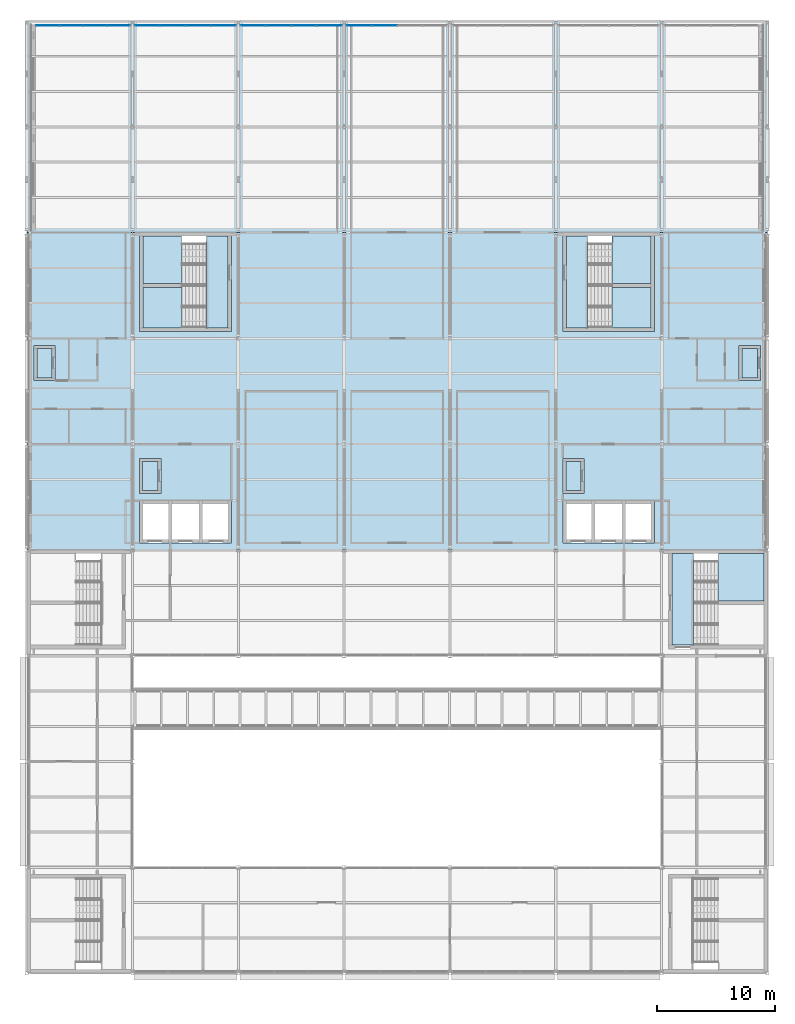
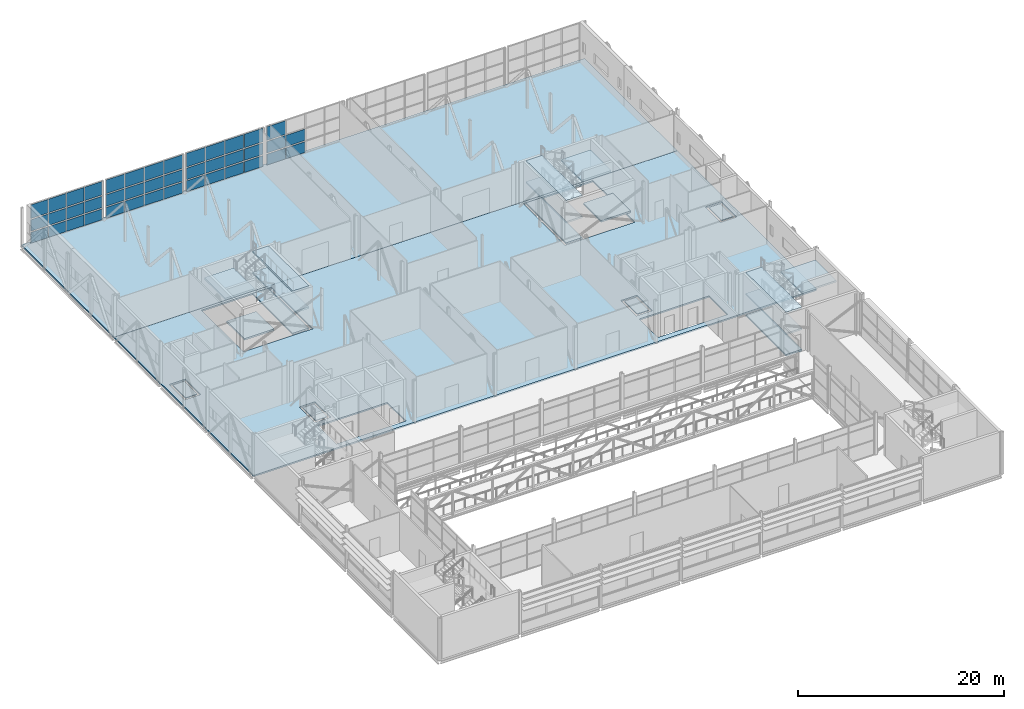
# One storey, part 74 of 94: 41 plates, 20 slabs, 7 elements without a shape of their own.
"""IFC4 building model written with IfcOpenShell, lengths in metres."""

from ifc_helpers import new_model, si_unit, direction, frame, origin, origin_2d, place, context, subcontext, project, spatial, polyline, rectangle, outline, extrude, material, layer, layer_set, type_object, element, aggregate, save


model = new_model("IFC4")

# Units and contexts
model_context = context("Model", 3, precision=1e-05, world=origin(), true_north=direction((0.0, 1.0)))
body_context = subcontext(model_context, "Body", "Model", "MODEL_VIEW")
ifc_project = project(units=[si_unit("LENGTHUNIT", "METRE"), si_unit("AREAUNIT", "SQUARE_METRE"), si_unit("VOLUMEUNIT", "CUBIC_METRE"), si_unit("PLANEANGLEUNIT", "RADIAN"), si_unit("MASSUNIT", "GRAM", prefix="KILO")], contexts=[model_context])

# Site, building, storey
site_placement = place(None, origin())
site = spatial("IfcSite", under=ifc_project, at=site_placement, CompositionType="ELEMENT")
building_placement = place(site_placement, origin())
building = spatial("IfcBuilding", under=site, at=building_placement, Name="Shorebreak Coast Museum", CompositionType="ELEMENT")
storey_placement = place(building_placement, frame((0.0, 0.0, 31.0)))
storey = spatial("IfcBuildingStorey", under=building, at=storey_placement, Name="L05", CompositionType="ELEMENT", Elevation=31.0)

# Curtain wall, plates
ifc_material_1 = material(Name="Aluminium", Category="aluminium")
ifc_layer_1 = layer(ifc_material_1, 0.14990234375)
ifc_layer_set_1 = layer_set([ifc_layer_1], Name="Aluminium")
curtain_wall_type = type_object("IfcCurtainWallType", Name="Barrel end glazing", PredefinedType="NOTDEFINED", material=ifc_layer_set_1)
curtain_wall_1_placement = place(storey_placement, origin())
curtain_wall_1 = element("IfcCurtainWall", 1, at=curtain_wall_1_placement, inside=storey, type_object=curtain_wall_type, Name="Barrel end glazing L05 1", PredefinedType="NOTDEFINED")
ifc_material_2 = material(Name="Glass", Category="glass")
ifc_layer_2 = layer(ifc_material_2, 0.035888671875)
ifc_layer_set_2 = layer_set([ifc_layer_2], Name="Glass")
plate_type = type_object("IfcPlateType", Name="Barrel glass panel 36", PredefinedType="CURTAIN_PANEL", material=ifc_layer_set_2)
plate_1_placement = place(storey_placement, frame((55.776123046875, 134.60009765625, 0.150146484375), z_axis=(0.0, 0.0, 1.0), x_axis=(1.0, 0.0, 0.0)))
plate_1 = element("IfcPlate", 2, at=plate_1_placement, type_object=plate_type, Name="CW7 panel 1.1", PredefinedType="CURTAIN_PANEL", context=body_context, shape_type="SweptSolid", body=[
    extrude(rectangle(XDim=1.93212890625, YDim=0.035888671875, at=origin_2d()), origin(), (0.0, 0.0, 1.0), 1.27490234375),
])
plate_2_placement = place(storey_placement, frame((55.776123046875, 134.60009765625, 1.574951171875), z_axis=(0.0, 0.0, 1.0), x_axis=(1.0, 0.0, 0.0)))
plate_2 = element("IfcPlate", 3, at=plate_2_placement, type_object=plate_type, Name="CW7 panel 1.2", PredefinedType="CURTAIN_PANEL", context=body_context, shape_type="SweptSolid", body=[
    extrude(rectangle(XDim=1.93212890625, YDim=0.035888671875, at=origin_2d()), origin(), (0.0, 0.0, 1.0), 1.35009765625),
])
plate_3_placement = place(storey_placement, frame((55.776123046875, 134.60009765625, 3.074951171875), z_axis=(0.0, 0.0, 1.0), x_axis=(1.0, 0.0, 0.0)))
plate_3 = element("IfcPlate", 4, at=plate_3_placement, type_object=plate_type, Name="CW7 panel 1.3", PredefinedType="CURTAIN_PANEL", context=body_context, shape_type="SweptSolid", body=[
    extrude(rectangle(XDim=1.93212890625, YDim=0.035888671875, at=origin_2d()), origin(), (0.0, 0.0, 1.0), 1.60009765625),
])
plate_4_placement = place(storey_placement, frame((57.782958984375, 134.60009765625, 0.150146484375), z_axis=(0.0, 0.0, 1.0), x_axis=(1.0, 0.0, 0.0)))
plate_4 = element("IfcPlate", 5, at=plate_4_placement, type_object=plate_type, Name="CW7 panel 2.1", PredefinedType="CURTAIN_PANEL", context=body_context, shape_type="SweptSolid", body=[
    extrude(rectangle(XDim=1.9619140625, YDim=0.035888671875, at=origin_2d()), origin(), (0.0, 0.0, 1.0), 1.27490234375),
])
plate_5_placement = place(storey_placement, frame((57.782958984375, 134.60009765625, 1.574951171875), z_axis=(0.0, 0.0, 1.0), x_axis=(1.0, 0.0, 0.0)))
plate_5 = element("IfcPlate", 6, at=plate_5_placement, type_object=plate_type, Name="CW7 panel 2.2", PredefinedType="CURTAIN_PANEL", context=body_context, shape_type="SweptSolid", body=[
    extrude(rectangle(XDim=1.9619140625, YDim=0.035888671875, at=origin_2d()), origin(), (0.0, 0.0, 1.0), 1.35009765625),
])
plate_6_placement = place(storey_placement, frame((57.782958984375, 134.60009765625, 3.074951171875), z_axis=(0.0, 0.0, 1.0), x_axis=(1.0, 0.0, 0.0)))
plate_6 = element("IfcPlate", 7, at=plate_6_placement, type_object=plate_type, Name="CW7 panel 2.3", PredefinedType="CURTAIN_PANEL", context=body_context, shape_type="SweptSolid", body=[
    extrude(rectangle(XDim=1.9619140625, YDim=0.035888671875, at=origin_2d()), origin(), (0.0, 0.0, 1.0), 1.60009765625),
])
plate_7_placement = place(storey_placement, frame((59.80517578125, 134.60009765625, 0.150146484375), z_axis=(0.0, 0.0, 1.0), x_axis=(1.0, 0.0, 0.0)))
plate_7 = element("IfcPlate", 8, at=plate_7_placement, type_object=plate_type, Name="CW7 panel 3.1", PredefinedType="CURTAIN_PANEL", context=body_context, shape_type="SweptSolid", body=[
    extrude(rectangle(XDim=1.9619140625, YDim=0.035888671875, at=origin_2d()), origin(), (0.0, 0.0, 1.0), 1.27490234375),
])
plate_8_placement = place(storey_placement, frame((59.80517578125, 134.60009765625, 1.574951171875), z_axis=(0.0, 0.0, 1.0), x_axis=(1.0, 0.0, 0.0)))
plate_8 = element("IfcPlate", 9, at=plate_8_placement, type_object=plate_type, Name="CW7 panel 3.2", PredefinedType="CURTAIN_PANEL", context=body_context, shape_type="SweptSolid", body=[
    extrude(rectangle(XDim=1.9619140625, YDim=0.035888671875, at=origin_2d()), origin(), (0.0, 0.0, 1.0), 1.35009765625),
])
plate_9_placement = place(storey_placement, frame((59.80517578125, 134.60009765625, 3.074951171875), z_axis=(0.0, 0.0, 1.0), x_axis=(1.0, 0.0, 0.0)))
plate_9 = element("IfcPlate", 10, at=plate_9_placement, type_object=plate_type, Name="CW7 panel 3.3", PredefinedType="CURTAIN_PANEL", context=body_context, shape_type="SweptSolid", body=[
    extrude(rectangle(XDim=1.9619140625, YDim=0.035888671875, at=origin_2d()), origin(), (0.0, 0.0, 1.0), 1.60009765625),
])
plate_10_placement = place(storey_placement, frame((61.81201171875, 134.60009765625, 0.150146484375), z_axis=(0.0, 0.0, 1.0), x_axis=(1.0, 0.0, 0.0)))
plate_10 = element("IfcPlate", 11, at=plate_10_placement, type_object=plate_type, Name="CW7 panel 4.1", PredefinedType="CURTAIN_PANEL", context=body_context, shape_type="SweptSolid", body=[
    extrude(rectangle(XDim=1.93212890625, YDim=0.035888671875, at=origin_2d()), origin(), (0.0, 0.0, 1.0), 1.27490234375),
])
plate_11_placement = place(storey_placement, frame((61.81201171875, 134.60009765625, 1.574951171875), z_axis=(0.0, 0.0, 1.0), x_axis=(1.0, 0.0, 0.0)))
plate_11 = element("IfcPlate", 12, at=plate_11_placement, type_object=plate_type, Name="CW7 panel 4.2", PredefinedType="CURTAIN_PANEL", context=body_context, shape_type="SweptSolid", body=[
    extrude(rectangle(XDim=1.93212890625, YDim=0.035888671875, at=origin_2d()), origin(), (0.0, 0.0, 1.0), 1.35009765625),
])
plate_12_placement = place(storey_placement, frame((61.81201171875, 134.60009765625, 3.074951171875), z_axis=(0.0, 0.0, 1.0), x_axis=(1.0, 0.0, 0.0)))
plate_12 = element("IfcPlate", 13, at=plate_12_placement, type_object=plate_type, Name="CW7 panel 4.3", PredefinedType="CURTAIN_PANEL", context=body_context, shape_type="SweptSolid", body=[
    extrude(rectangle(XDim=1.93212890625, YDim=0.035888671875, at=origin_2d()), origin(), (0.0, 0.0, 1.0), 1.60009765625),
])
aggregate(curtain_wall_1, [plate_1, plate_2, plate_3, plate_4, plate_5, plate_6, plate_7, plate_8, plate_9, plate_10, plate_11, plate_12])

curtain_wall_2_placement = place(storey_placement, origin())
curtain_wall_2 = element("IfcCurtainWall", 14, at=curtain_wall_2_placement, inside=storey, type_object=curtain_wall_type, Name="Barrel end glazing L05 2", PredefinedType="NOTDEFINED")
plate_13_placement = place(storey_placement, frame((64.261474609375, 134.60009765625, 0.150146484375), z_axis=(0.0, 0.0, 1.0), x_axis=(1.0, 0.0, 0.0)))
plate_13 = element("IfcPlate", 15, at=plate_13_placement, type_object=plate_type, Name="CW7 panel 1.1", PredefinedType="CURTAIN_PANEL", context=body_context, shape_type="SweptSolid", body=[
    extrude(rectangle(XDim=2.0791015625, YDim=0.035888671875, at=origin_2d()), origin(), (0.0, 0.0, 1.0), 1.27490234375),
])
plate_14_placement = place(storey_placement, frame((64.261474609375, 134.60009765625, 1.574951171875), z_axis=(0.0, 0.0, 1.0), x_axis=(1.0, 0.0, 0.0)))
plate_14 = element("IfcPlate", 16, at=plate_14_placement, type_object=plate_type, Name="CW7 panel 1.2", PredefinedType="CURTAIN_PANEL", context=body_context, shape_type="SweptSolid", body=[
    extrude(rectangle(XDim=2.0791015625, YDim=0.035888671875, at=origin_2d()), origin(), (0.0, 0.0, 1.0), 1.35009765625),
])
plate_15_placement = place(storey_placement, frame((64.261474609375, 134.60009765625, 3.074951171875), z_axis=(0.0, 0.0, 1.0), x_axis=(1.0, 0.0, 0.0)))
plate_15 = element("IfcPlate", 17, at=plate_15_placement, type_object=plate_type, Name="CW7 panel 1.3", PredefinedType="CURTAIN_PANEL", context=body_context, shape_type="SweptSolid", body=[
    extrude(rectangle(XDim=2.0791015625, YDim=0.035888671875, at=origin_2d()), origin(), (0.0, 0.0, 1.0), 1.60009765625),
])
plate_16_placement = place(storey_placement, frame((66.41552734375, 134.60009765625, 0.150146484375), z_axis=(0.0, 0.0, 1.0), x_axis=(1.0, 0.0, 0.0)))
plate_16 = element("IfcPlate", 18, at=plate_16_placement, type_object=plate_type, Name="CW7 panel 2.1", PredefinedType="CURTAIN_PANEL", context=body_context, shape_type="SweptSolid", body=[
    extrude(rectangle(XDim=2.109130859375, YDim=0.035888671875, at=origin_2d()), origin(), (0.0, 0.0, 1.0), 1.27490234375),
])
plate_17_placement = place(storey_placement, frame((66.41552734375, 134.60009765625, 1.574951171875), z_axis=(0.0, 0.0, 1.0), x_axis=(1.0, 0.0, 0.0)))
plate_17 = element("IfcPlate", 19, at=plate_17_placement, type_object=plate_type, Name="CW7 panel 2.2", PredefinedType="CURTAIN_PANEL", context=body_context, shape_type="SweptSolid", body=[
    extrude(rectangle(XDim=2.109130859375, YDim=0.035888671875, at=origin_2d()), origin(), (0.0, 0.0, 1.0), 1.35009765625),
])
plate_18_placement = place(storey_placement, frame((66.41552734375, 134.60009765625, 3.074951171875), z_axis=(0.0, 0.0, 1.0), x_axis=(1.0, 0.0, 0.0)))
plate_18 = element("IfcPlate", 20, at=plate_18_placement, type_object=plate_type, Name="CW7 panel 2.3", PredefinedType="CURTAIN_PANEL", context=body_context, shape_type="SweptSolid", body=[
    extrude(rectangle(XDim=2.109130859375, YDim=0.035888671875, at=origin_2d()), origin(), (0.0, 0.0, 1.0), 1.60009765625),
])
plate_19_placement = place(storey_placement, frame((68.58447265625, 134.60009765625, 0.150146484375), z_axis=(0.0, 0.0, 1.0), x_axis=(1.0, 0.0, 0.0)))
plate_19 = element("IfcPlate", 21, at=plate_19_placement, type_object=plate_type, Name="CW7 panel 3.1", PredefinedType="CURTAIN_PANEL", context=body_context, shape_type="SweptSolid", body=[
    extrude(rectangle(XDim=2.109130859375, YDim=0.035888671875, at=origin_2d()), origin(), (0.0, 0.0, 1.0), 1.27490234375),
])
plate_20_placement = place(storey_placement, frame((68.58447265625, 134.60009765625, 1.574951171875), z_axis=(0.0, 0.0, 1.0), x_axis=(1.0, 0.0, 0.0)))
plate_20 = element("IfcPlate", 22, at=plate_20_placement, type_object=plate_type, Name="CW7 panel 3.2", PredefinedType="CURTAIN_PANEL", context=body_context, shape_type="SweptSolid", body=[
    extrude(rectangle(XDim=2.109130859375, YDim=0.035888671875, at=origin_2d()), origin(), (0.0, 0.0, 1.0), 1.35009765625),
])
plate_21_placement = place(storey_placement, frame((68.58447265625, 134.60009765625, 3.074951171875), z_axis=(0.0, 0.0, 1.0), x_axis=(1.0, 0.0, 0.0)))
plate_21 = element("IfcPlate", 23, at=plate_21_placement, type_object=plate_type, Name="CW7 panel 3.3", PredefinedType="CURTAIN_PANEL", context=body_context, shape_type="SweptSolid", body=[
    extrude(rectangle(XDim=2.109130859375, YDim=0.035888671875, at=origin_2d()), origin(), (0.0, 0.0, 1.0), 1.60009765625),
])
plate_22_placement = place(storey_placement, frame((70.738525390625, 134.60009765625, 0.150146484375), z_axis=(0.0, 0.0, 1.0), x_axis=(1.0, 0.0, 0.0)))
plate_22 = element("IfcPlate", 24, at=plate_22_placement, type_object=plate_type, Name="CW7 panel 4.1", PredefinedType="CURTAIN_PANEL", context=body_context, shape_type="SweptSolid", body=[
    extrude(rectangle(XDim=2.0791015625, YDim=0.035888671875, at=origin_2d()), origin(), (0.0, 0.0, 1.0), 1.27490234375),
])
plate_23_placement = place(storey_placement, frame((70.738525390625, 134.60009765625, 1.574951171875), z_axis=(0.0, 0.0, 1.0), x_axis=(1.0, 0.0, 0.0)))
plate_23 = element("IfcPlate", 25, at=plate_23_placement, type_object=plate_type, Name="CW7 panel 4.2", PredefinedType="CURTAIN_PANEL", context=body_context, shape_type="SweptSolid", body=[
    extrude(rectangle(XDim=2.0791015625, YDim=0.035888671875, at=origin_2d()), origin(), (0.0, 0.0, 1.0), 1.35009765625),
])
plate_24_placement = place(storey_placement, frame((70.738525390625, 134.60009765625, 3.074951171875), z_axis=(0.0, 0.0, 1.0), x_axis=(1.0, 0.0, 0.0)))
plate_24 = element("IfcPlate", 26, at=plate_24_placement, type_object=plate_type, Name="CW7 panel 4.3", PredefinedType="CURTAIN_PANEL", context=body_context, shape_type="SweptSolid", body=[
    extrude(rectangle(XDim=2.0791015625, YDim=0.035888671875, at=origin_2d()), origin(), (0.0, 0.0, 1.0), 1.60009765625),
])
aggregate(curtain_wall_2, [plate_13, plate_14, plate_15, plate_16, plate_17, plate_18, plate_19, plate_20, plate_21, plate_22, plate_23, plate_24])

curtain_wall_3_placement = place(storey_placement, origin())
curtain_wall_3 = element("IfcCurtainWall", 27, at=curtain_wall_3_placement, inside=storey, type_object=curtain_wall_type, Name="Barrel end glazing L05 3", PredefinedType="NOTDEFINED")
plate_25_placement = place(storey_placement, frame((73.261474609375, 134.60009765625, 0.150146484375), z_axis=(0.0, 0.0, 1.0), x_axis=(1.0, 0.0, 0.0)))
plate_25 = element("IfcPlate", 28, at=plate_25_placement, type_object=plate_type, Name="CW7 panel 1.1", PredefinedType="CURTAIN_PANEL", context=body_context, shape_type="SweptSolid", body=[
    extrude(rectangle(XDim=2.0791015625, YDim=0.035888671875, at=origin_2d()), origin(), (0.0, 0.0, 1.0), 1.27490234375),
])
plate_26_placement = place(storey_placement, frame((73.261474609375, 134.60009765625, 1.574951171875), z_axis=(0.0, 0.0, 1.0), x_axis=(1.0, 0.0, 0.0)))
plate_26 = element("IfcPlate", 29, at=plate_26_placement, type_object=plate_type, Name="CW7 panel 1.2", PredefinedType="CURTAIN_PANEL", context=body_context, shape_type="SweptSolid", body=[
    extrude(rectangle(XDim=2.0791015625, YDim=0.035888671875, at=origin_2d()), origin(), (0.0, 0.0, 1.0), 1.35009765625),
])
plate_27_placement = place(storey_placement, frame((73.261474609375, 134.60009765625, 3.074951171875), z_axis=(0.0, 0.0, 1.0), x_axis=(1.0, 0.0, 0.0)))
plate_27 = element("IfcPlate", 30, at=plate_27_placement, type_object=plate_type, Name="CW7 panel 1.3", PredefinedType="CURTAIN_PANEL", context=body_context, shape_type="SweptSolid", body=[
    extrude(rectangle(XDim=2.0791015625, YDim=0.035888671875, at=origin_2d()), origin(), (0.0, 0.0, 1.0), 1.60009765625),
])
plate_28_placement = place(storey_placement, frame((75.41552734375, 134.60009765625, 0.150146484375), z_axis=(0.0, 0.0, 1.0), x_axis=(1.0, 0.0, 0.0)))
plate_28 = element("IfcPlate", 31, at=plate_28_placement, type_object=plate_type, Name="CW7 panel 2.1", PredefinedType="CURTAIN_PANEL", context=body_context, shape_type="SweptSolid", body=[
    extrude(rectangle(XDim=2.10888671875, YDim=0.035888671875, at=origin_2d()), origin(), (0.0, 0.0, 1.0), 1.27490234375),
])
plate_29_placement = place(storey_placement, frame((75.41552734375, 134.60009765625, 1.574951171875), z_axis=(0.0, 0.0, 1.0), x_axis=(1.0, 0.0, 0.0)))
plate_29 = element("IfcPlate", 32, at=plate_29_placement, type_object=plate_type, Name="CW7 panel 2.2", PredefinedType="CURTAIN_PANEL", context=body_context, shape_type="SweptSolid", body=[
    extrude(rectangle(XDim=2.10888671875, YDim=0.035888671875, at=origin_2d()), origin(), (0.0, 0.0, 1.0), 1.35009765625),
])
plate_30_placement = place(storey_placement, frame((75.41552734375, 134.60009765625, 3.074951171875), z_axis=(0.0, 0.0, 1.0), x_axis=(1.0, 0.0, 0.0)))
plate_30 = element("IfcPlate", 33, at=plate_30_placement, type_object=plate_type, Name="CW7 panel 2.3", PredefinedType="CURTAIN_PANEL", context=body_context, shape_type="SweptSolid", body=[
    extrude(rectangle(XDim=2.10888671875, YDim=0.035888671875, at=origin_2d()), origin(), (0.0, 0.0, 1.0), 1.60009765625),
])
plate_31_placement = place(storey_placement, frame((77.58447265625, 134.60009765625, 0.150146484375), z_axis=(0.0, 0.0, 1.0), x_axis=(1.0, 0.0, 0.0)))
plate_31 = element("IfcPlate", 34, at=plate_31_placement, type_object=plate_type, Name="CW7 panel 3.1", PredefinedType="CURTAIN_PANEL", context=body_context, shape_type="SweptSolid", body=[
    extrude(rectangle(XDim=2.10888671875, YDim=0.035888671875, at=origin_2d()), origin(), (0.0, 0.0, 1.0), 1.27490234375),
])
plate_32_placement = place(storey_placement, frame((77.58447265625, 134.60009765625, 1.574951171875), z_axis=(0.0, 0.0, 1.0), x_axis=(1.0, 0.0, 0.0)))
plate_32 = element("IfcPlate", 35, at=plate_32_placement, type_object=plate_type, Name="CW7 panel 3.2", PredefinedType="CURTAIN_PANEL", context=body_context, shape_type="SweptSolid", body=[
    extrude(rectangle(XDim=2.10888671875, YDim=0.035888671875, at=origin_2d()), origin(), (0.0, 0.0, 1.0), 1.35009765625),
])
plate_33_placement = place(storey_placement, frame((77.58447265625, 134.60009765625, 3.074951171875), z_axis=(0.0, 0.0, 1.0), x_axis=(1.0, 0.0, 0.0)))
plate_33 = element("IfcPlate", 36, at=plate_33_placement, type_object=plate_type, Name="CW7 panel 3.3", PredefinedType="CURTAIN_PANEL", context=body_context, shape_type="SweptSolid", body=[
    extrude(rectangle(XDim=2.10888671875, YDim=0.035888671875, at=origin_2d()), origin(), (0.0, 0.0, 1.0), 1.60009765625),
])
plate_34_placement = place(storey_placement, frame((79.738525390625, 134.60009765625, 0.150146484375), z_axis=(0.0, 0.0, 1.0), x_axis=(1.0, 0.0, 0.0)))
plate_34 = element("IfcPlate", 37, at=plate_34_placement, type_object=plate_type, Name="CW7 panel 4.1", PredefinedType="CURTAIN_PANEL", context=body_context, shape_type="SweptSolid", body=[
    extrude(rectangle(XDim=2.0791015625, YDim=0.035888671875, at=origin_2d()), origin(), (0.0, 0.0, 1.0), 1.27490234375),
])
plate_35_placement = place(storey_placement, frame((79.738525390625, 134.60009765625, 1.574951171875), z_axis=(0.0, 0.0, 1.0), x_axis=(1.0, 0.0, 0.0)))
plate_35 = element("IfcPlate", 38, at=plate_35_placement, type_object=plate_type, Name="CW7 panel 4.2", PredefinedType="CURTAIN_PANEL", context=body_context, shape_type="SweptSolid", body=[
    extrude(rectangle(XDim=2.0791015625, YDim=0.035888671875, at=origin_2d()), origin(), (0.0, 0.0, 1.0), 1.35009765625),
])
plate_36_placement = place(storey_placement, frame((79.738525390625, 134.60009765625, 3.074951171875), z_axis=(0.0, 0.0, 1.0), x_axis=(1.0, 0.0, 0.0)))
plate_36 = element("IfcPlate", 39, at=plate_36_placement, type_object=plate_type, Name="CW7 panel 4.3", PredefinedType="CURTAIN_PANEL", context=body_context, shape_type="SweptSolid", body=[
    extrude(rectangle(XDim=2.0791015625, YDim=0.035888671875, at=origin_2d()), origin(), (0.0, 0.0, 1.0), 1.60009765625),
])
aggregate(curtain_wall_3, [plate_25, plate_26, plate_27, plate_28, plate_29, plate_30, plate_31, plate_32, plate_33, plate_34, plate_35, plate_36])

curtain_wall_4_placement = place(storey_placement, origin())
curtain_wall_4 = element("IfcCurtainWall", 40, at=curtain_wall_4_placement, inside=storey, type_object=curtain_wall_type, Name="Barrel end glazing L05 4", PredefinedType="NOTDEFINED")
plate_37_placement = place(storey_placement, frame((82.261474609375, 134.60009765625, 0.150146484375), z_axis=(0.0, 0.0, 1.0), x_axis=(1.0, 0.0, 0.0)))
plate_37 = element("IfcPlate", 41, at=plate_37_placement, type_object=plate_type, Name="CW7 panel 1.1", PredefinedType="CURTAIN_PANEL", context=body_context, shape_type="SweptSolid", body=[
    extrude(rectangle(XDim=2.0791015625, YDim=0.035888671875, at=origin_2d()), origin(), (0.0, 0.0, 1.0), 1.27490234375),
])
plate_38_placement = place(storey_placement, frame((82.261474609375, 134.60009765625, 1.574951171875), z_axis=(0.0, 0.0, 1.0), x_axis=(1.0, 0.0, 0.0)))
plate_38 = element("IfcPlate", 42, at=plate_38_placement, type_object=plate_type, Name="CW7 panel 1.2", PredefinedType="CURTAIN_PANEL", context=body_context, shape_type="SweptSolid", body=[
    extrude(rectangle(XDim=2.0791015625, YDim=0.035888671875, at=origin_2d()), origin(), (0.0, 0.0, 1.0), 1.35009765625),
])
plate_39_placement = place(storey_placement, frame((82.261474609375, 134.60009765625, 3.074951171875), z_axis=(0.0, 0.0, 1.0), x_axis=(1.0, 0.0, 0.0)))
plate_39 = element("IfcPlate", 43, at=plate_39_placement, type_object=plate_type, Name="CW7 panel 1.3", PredefinedType="CURTAIN_PANEL", context=body_context, shape_type="SweptSolid", body=[
    extrude(rectangle(XDim=2.0791015625, YDim=0.035888671875, at=origin_2d()), origin(), (0.0, 0.0, 1.0), 1.60009765625),
])
plate_40_placement = place(storey_placement, frame((84.41552734375, 134.60009765625, 0.150146484375), z_axis=(0.0, 0.0, 1.0), x_axis=(1.0, 0.0, 0.0)))
plate_40 = element("IfcPlate", 44, at=plate_40_placement, type_object=plate_type, Name="CW7 panel 2.1", PredefinedType="CURTAIN_PANEL", context=body_context, shape_type="SweptSolid", body=[
    extrude(rectangle(XDim=2.10888671875, YDim=0.035888671875, at=origin_2d()), origin(), (0.0, 0.0, 1.0), 1.27490234375),
])
plate_41_placement = place(storey_placement, frame((84.41552734375, 134.60009765625, 1.574951171875), z_axis=(0.0, 0.0, 1.0), x_axis=(1.0, 0.0, 0.0)))
plate_41 = element("IfcPlate", 45, at=plate_41_placement, type_object=plate_type, Name="CW7 panel 2.2", PredefinedType="CURTAIN_PANEL", context=body_context, shape_type="SweptSolid", body=[
    extrude(rectangle(XDim=2.10888671875, YDim=0.035888671875, at=origin_2d()), origin(), (0.0, 0.0, 1.0), 1.35009765625),
])
aggregate(curtain_wall_4, [plate_37, plate_38, plate_39, plate_40, plate_41])

# Slabs
ifc_material_3 = material(Name="Concrete N40 (40 MPa)", Category="concrete")
ifc_layer_3 = layer(ifc_material_3, 0.175048828125)
ifc_layer_set_3 = layer_set([ifc_layer_3], Name="Concrete N40 (40 MPa)")
slab_type_1 = type_object("IfcSlabType", Name="Floor slab 175 concrete N40", PredefinedType="FLOOR", material=ifc_layer_set_3)
slab_1_placement = place(storey_placement, frame((0.0, 0.0, -0.175048828125)))
element("IfcSlab", 46, at=slab_1_placement, inside=storey, type_object=slab_type_1, Name="Floor slab L05 north arm", PredefinedType="FLOOR", context=body_context, shape_type="SweptSolid", body=[
    extrude(outline(polyline([(117.0, 90.0), (117.0, 117.0), (54.0, 117.0), (54.0, 90.0), (117.0, 90.0)]), holes=[polyline([(107.39990234375, 90.60009765625), (99.60009765625, 90.60009765625), (99.60009765625, 94.199951171875), (107.39990234375, 94.199951171875), (107.39990234375, 90.60009765625)]), polyline([(63.60009765625, 90.60009765625), (63.60009765625, 94.199951171875), (71.39990234375, 94.199951171875), (71.39990234375, 90.60009765625), (63.60009765625, 90.60009765625)]), polyline([(99.60009765625, 97.800048828125), (101.39990234375, 97.800048828125), (101.39990234375, 94.800048828125), (99.60009765625, 94.800048828125), (99.60009765625, 97.800048828125)]), polyline([(65.39990234375, 97.800048828125), (65.39990234375, 94.800048828125), (63.60009765625, 94.800048828125), (63.60009765625, 97.800048828125), (65.39990234375, 97.800048828125)]), polyline([(56.39990234375, 104.39990234375), (54.60009765625, 104.39990234375), (54.60009765625, 107.39990234375), (56.39990234375, 107.39990234375), (56.39990234375, 104.39990234375)]), polyline([(114.60009765625, 104.39990234375), (114.60009765625, 107.39990234375), (116.39990234375, 107.39990234375), (116.39990234375, 104.39990234375), (114.60009765625, 104.39990234375)]), polyline([(63.60009765625, 116.699951171875), (71.39990234375, 116.699951171875), (71.39990234375, 108.60009765625), (63.60009765625, 108.60009765625), (63.60009765625, 116.699951171875)]), polyline([(107.39990234375, 116.699951171875), (107.39990234375, 108.60009765625), (99.60009765625, 108.60009765625), (99.60009765625, 116.699951171875), (107.39990234375, 116.699951171875)])]), origin(), (0.0, 0.0, 1.0), 0.175048828125),
])
slab_2_placement = place(storey_placement, frame((0.0, 0.0, -0.175048828125)))
element("IfcSlab", 47, at=slab_2_placement, inside=storey, type_object=slab_type_1, Name="Floor slab L05 gallery box", PredefinedType="FLOOR", context=body_context, shape_type="SweptSolid", body=[
    extrude(outline(polyline([(117.0, 117.0), (117.0, 135.0), (54.0, 135.0), (54.0, 117.0), (117.0, 117.0)])), origin(), (0.0, 0.0, 1.0), 0.175048828125),
])
ifc_material_4 = material(Name="Concrete N40 (40 MPa)", Category="concrete")
ifc_layer_4 = layer(ifc_material_4, 0.10009765625)
ifc_layer_set_4 = layer_set([ifc_layer_4], Name="Concrete N40 (40 MPa)")
slab_type_2 = type_object("IfcSlabType", Name="Riser platform 100", PredefinedType="USERDEFINED", material=ifc_layer_set_4)
slab_3_placement = place(storey_placement, frame((0.0, 0.0, -0.10009765625)))
element("IfcSlab", 48, at=slab_3_placement, inside=storey, type_object=slab_type_2, Name="Riser platform R-WC-N1 L05", ObjectType="RISER PLATFORM", PredefinedType="USERDEFINED", context=body_context, shape_type="SweptSolid", body=[
    extrude(outline(polyline([(54.85009765625, 104.64990234375), (56.14990234375, 104.64990234375), (56.14990234375, 107.14990234375), (54.85009765625, 107.14990234375), (54.85009765625, 104.64990234375)])), origin(), (0.0, 0.0, 1.0), 0.10009765625),
])
slab_4_placement = place(storey_placement, frame((0.0, 0.0, -0.10009765625)))
element("IfcSlab", 49, at=slab_4_placement, inside=storey, type_object=slab_type_2, Name="Riser platform R-WC-N2 L05", ObjectType="RISER PLATFORM", PredefinedType="USERDEFINED", context=body_context, shape_type="SweptSolid", body=[
    extrude(outline(polyline([(114.85009765625, 104.64990234375), (116.14990234375, 104.64990234375), (116.14990234375, 107.14990234375), (114.85009765625, 107.14990234375), (114.85009765625, 104.64990234375)])), origin(), (0.0, 0.0, 1.0), 0.10009765625),
])
slab_5_placement = place(storey_placement, frame((0.0, 0.0, -0.10009765625)))
element("IfcSlab", 50, at=slab_5_placement, inside=storey, type_object=slab_type_2, Name="Riser platform R-LBW L05", ObjectType="RISER PLATFORM", PredefinedType="USERDEFINED", context=body_context, shape_type="SweptSolid", body=[
    extrude(outline(polyline([(63.85009765625, 95.050048828125), (65.14990234375, 95.050048828125), (65.14990234375, 97.550048828125), (63.85009765625, 97.550048828125), (63.85009765625, 95.050048828125)])), origin(), (0.0, 0.0, 1.0), 0.10009765625),
])
slab_6_placement = place(storey_placement, frame((0.0, 0.0, -0.10009765625)))
element("IfcSlab", 51, at=slab_6_placement, inside=storey, type_object=slab_type_2, Name="Riser platform R-LBE L05", ObjectType="RISER PLATFORM", PredefinedType="USERDEFINED", context=body_context, shape_type="SweptSolid", body=[
    extrude(outline(polyline([(99.85009765625, 95.050048828125), (101.14990234375, 95.050048828125), (101.14990234375, 97.550048828125), (99.85009765625, 97.550048828125), (99.85009765625, 95.050048828125)])), origin(), (0.0, 0.0, 1.0), 0.10009765625),
])

# Stair, slabs
ifc_material_5 = material(Name="Concrete N40 (40 MPa)", Category="concrete")
stair_type = type_object("IfcStairType", Name="Stair run 5 m", PredefinedType="DOUBLE_RETURN_STAIR", material=ifc_material_5)
stair_1_placement = place(storey_placement, origin())
stair_1 = element("IfcStair", 52, at=stair_1_placement, inside=storey, type_object=stair_type, Name="Exit stair ST04-L05", PredefinedType="DOUBLE_RETURN_STAIR")
ifc_material_6 = material(Name="Concrete N40 (40 MPa)", Category="concrete")
ifc_layer_5 = layer(ifc_material_6, 0.199951171875)
ifc_layer_set_5 = layer_set([ifc_layer_5], Name="Concrete N40 (40 MPa)")
slab_type_3 = type_object("IfcSlabType", Name="Stair landing 200", PredefinedType="LANDING", material=ifc_layer_set_5)
slab_7_placement = place(storey_placement, frame((0.0, 0.0, -0.199951171875)))
slab_7 = element("IfcSlab", 53, at=slab_7_placement, type_object=slab_type_3, Name="ST04-L05 landing 1", PredefinedType="LANDING", context=body_context, shape_type="SweptSolid", body=[
    extrude(outline(polyline([(108.89990234375, 81.89990234375), (110.699951171875, 81.89990234375), (110.699951171875, 89.699951171875), (108.89990234375, 89.699951171875), (108.89990234375, 81.89990234375)])), origin(), (0.0, 0.0, 1.0), 0.199951171875),
])
slab_8_placement = place(storey_placement, frame((0.0, 0.0, 2.300048828125)))
slab_8 = element("IfcSlab", 54, at=slab_8_placement, type_object=slab_type_3, Name="ST04-L05 landing 2", PredefinedType="LANDING", context=body_context, shape_type="SweptSolid", body=[
    extrude(outline(polyline([(108.89990234375, 81.89990234375), (110.699951171875, 81.89990234375), (110.699951171875, 89.699951171875), (108.89990234375, 89.699951171875), (108.89990234375, 81.89990234375)])), origin(), (0.0, 0.0, 1.0), 0.199951171875),
])
slab_9_placement = place(storey_placement, frame((0.0, 0.0, 3.550048828125)))
slab_9 = element("IfcSlab", 55, at=slab_9_placement, type_object=slab_type_3, Name="ST04-L05 landing 4", PredefinedType="LANDING", context=body_context, shape_type="SweptSolid", body=[
    extrude(outline(polyline([(112.800048828125, 85.64990234375), (116.699951171875, 85.64990234375), (116.699951171875, 89.699951171875), (112.800048828125, 89.699951171875), (112.800048828125, 85.64990234375)])), origin(), (0.0, 0.0, 1.0), 0.199951171875),
])
slab_10_placement = place(storey_placement, frame((0.0, 0.0, 4.800048828125)))
slab_10 = element("IfcSlab", 56, at=slab_10_placement, type_object=slab_type_3, Name="ST04-L05 landing 5", PredefinedType="LANDING", context=body_context, shape_type="SweptSolid", body=[
    extrude(outline(polyline([(108.89990234375, 81.89990234375), (110.699951171875, 81.89990234375), (110.699951171875, 89.699951171875), (108.89990234375, 89.699951171875), (108.89990234375, 81.89990234375)])), origin(), (0.0, 0.0, 1.0), 0.199951171875),
])
aggregate(stair_1, [slab_7, slab_8, slab_9, slab_10])

stair_2_placement = place(storey_placement, origin())
stair_2 = element("IfcStair", 57, at=stair_2_placement, inside=storey, type_object=stair_type, Name="Exit stair ST09-L05", PredefinedType="DOUBLE_RETURN_STAIR")
slab_11_placement = place(storey_placement, frame((0.0, 0.0, -0.199951171875)))
slab_11 = element("IfcSlab", 58, at=slab_11_placement, type_object=slab_type_3, Name="ST09-L05 landing 1", PredefinedType="LANDING", context=body_context, shape_type="SweptSolid", body=[
    extrude(outline(polyline([(69.300048828125, 108.89990234375), (71.10009765625, 108.89990234375), (71.10009765625, 116.699951171875), (69.300048828125, 116.699951171875), (69.300048828125, 108.89990234375)])), origin(), (0.0, 0.0, 1.0), 0.199951171875),
])
slab_12_placement = place(storey_placement, frame((0.0, 0.0, 2.300048828125)))
slab_12 = element("IfcSlab", 59, at=slab_12_placement, type_object=slab_type_3, Name="ST09-L05 landing 2", PredefinedType="LANDING", context=body_context, shape_type="SweptSolid", body=[
    extrude(outline(polyline([(69.300048828125, 108.89990234375), (71.10009765625, 108.89990234375), (71.10009765625, 116.699951171875), (69.300048828125, 116.699951171875), (69.300048828125, 108.89990234375)])), origin(), (0.0, 0.0, 1.0), 0.199951171875),
])
slab_13_placement = place(storey_placement, frame((0.0, 0.0, 1.050048828125)))
slab_13 = element("IfcSlab", 60, at=slab_13_placement, type_object=slab_type_3, Name="ST09-L05 landing 3", PredefinedType="LANDING", context=body_context, shape_type="SweptSolid", body=[
    extrude(outline(polyline([(63.89990234375, 108.89990234375), (67.199951171875, 108.89990234375), (67.199951171875, 112.35009765625), (63.89990234375, 112.35009765625), (63.89990234375, 108.89990234375)])), origin(), (0.0, 0.0, 1.0), 0.199951171875),
])
slab_14_placement = place(storey_placement, frame((0.0, 0.0, 3.550048828125)))
slab_14 = element("IfcSlab", 61, at=slab_14_placement, type_object=slab_type_3, Name="ST09-L05 landing 4", PredefinedType="LANDING", context=body_context, shape_type="SweptSolid", body=[
    extrude(outline(polyline([(63.89990234375, 112.64990234375), (67.199951171875, 112.64990234375), (67.199951171875, 116.699951171875), (63.89990234375, 116.699951171875), (63.89990234375, 112.64990234375)])), origin(), (0.0, 0.0, 1.0), 0.199951171875),
])
slab_15_placement = place(storey_placement, frame((0.0, 0.0, 4.800048828125)))
slab_15 = element("IfcSlab", 62, at=slab_15_placement, type_object=slab_type_3, Name="ST09-L05 landing 5", PredefinedType="LANDING", context=body_context, shape_type="SweptSolid", body=[
    extrude(outline(polyline([(69.300048828125, 108.89990234375), (71.10009765625, 108.89990234375), (71.10009765625, 116.699951171875), (69.300048828125, 116.699951171875), (69.300048828125, 108.89990234375)])), origin(), (0.0, 0.0, 1.0), 0.199951171875),
])
aggregate(stair_2, [slab_11, slab_12, slab_13, slab_14, slab_15])

stair_3_placement = place(storey_placement, origin())
stair_3 = element("IfcStair", 63, at=stair_3_placement, inside=storey, type_object=stair_type, Name="Exit stair ST10-L05", PredefinedType="DOUBLE_RETURN_STAIR")
slab_16_placement = place(storey_placement, frame((0.0, 0.0, -0.199951171875)))
slab_16 = element("IfcSlab", 64, at=slab_16_placement, type_object=slab_type_3, Name="ST10-L05 landing 1", PredefinedType="LANDING", context=body_context, shape_type="SweptSolid", body=[
    extrude(outline(polyline([(99.89990234375, 108.89990234375), (101.699951171875, 108.89990234375), (101.699951171875, 116.699951171875), (99.89990234375, 116.699951171875), (99.89990234375, 108.89990234375)])), origin(), (0.0, 0.0, 1.0), 0.199951171875),
])
slab_17_placement = place(storey_placement, frame((0.0, 0.0, 2.300048828125)))
slab_17 = element("IfcSlab", 65, at=slab_17_placement, type_object=slab_type_3, Name="ST10-L05 landing 2", PredefinedType="LANDING", context=body_context, shape_type="SweptSolid", body=[
    extrude(outline(polyline([(99.89990234375, 108.89990234375), (101.699951171875, 108.89990234375), (101.699951171875, 116.699951171875), (99.89990234375, 116.699951171875), (99.89990234375, 108.89990234375)])), origin(), (0.0, 0.0, 1.0), 0.199951171875),
])
slab_18_placement = place(storey_placement, frame((0.0, 0.0, 1.050048828125)))
slab_18 = element("IfcSlab", 66, at=slab_18_placement, type_object=slab_type_3, Name="ST10-L05 landing 3", PredefinedType="LANDING", context=body_context, shape_type="SweptSolid", body=[
    extrude(outline(polyline([(103.800048828125, 108.89990234375), (107.10009765625, 108.89990234375), (107.10009765625, 112.35009765625), (103.800048828125, 112.35009765625), (103.800048828125, 108.89990234375)])), origin(), (0.0, 0.0, 1.0), 0.199951171875),
])
slab_19_placement = place(storey_placement, frame((0.0, 0.0, 3.550048828125)))
slab_19 = element("IfcSlab", 67, at=slab_19_placement, type_object=slab_type_3, Name="ST10-L05 landing 4", PredefinedType="LANDING", context=body_context, shape_type="SweptSolid", body=[
    extrude(outline(polyline([(103.800048828125, 112.64990234375), (107.10009765625, 112.64990234375), (107.10009765625, 116.699951171875), (103.800048828125, 116.699951171875), (103.800048828125, 112.64990234375)])), origin(), (0.0, 0.0, 1.0), 0.199951171875),
])
slab_20_placement = place(storey_placement, frame((0.0, 0.0, 4.800048828125)))
slab_20 = element("IfcSlab", 68, at=slab_20_placement, type_object=slab_type_3, Name="ST10-L05 landing 5", PredefinedType="LANDING", context=body_context, shape_type="SweptSolid", body=[
    extrude(outline(polyline([(99.89990234375, 108.89990234375), (101.699951171875, 108.89990234375), (101.699951171875, 116.699951171875), (99.89990234375, 116.699951171875), (99.89990234375, 108.89990234375)])), origin(), (0.0, 0.0, 1.0), 0.199951171875),
])
aggregate(stair_3, [slab_16, slab_17, slab_18, slab_19, slab_20])

save(model, "model.ifc")
